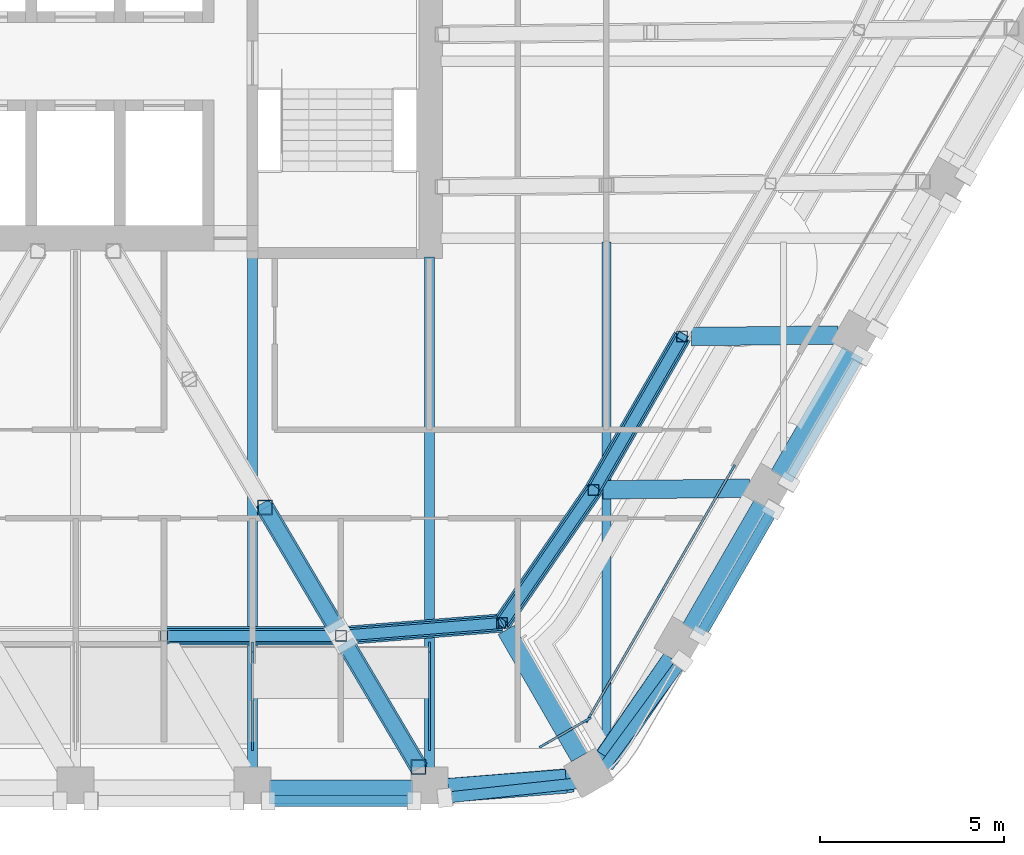
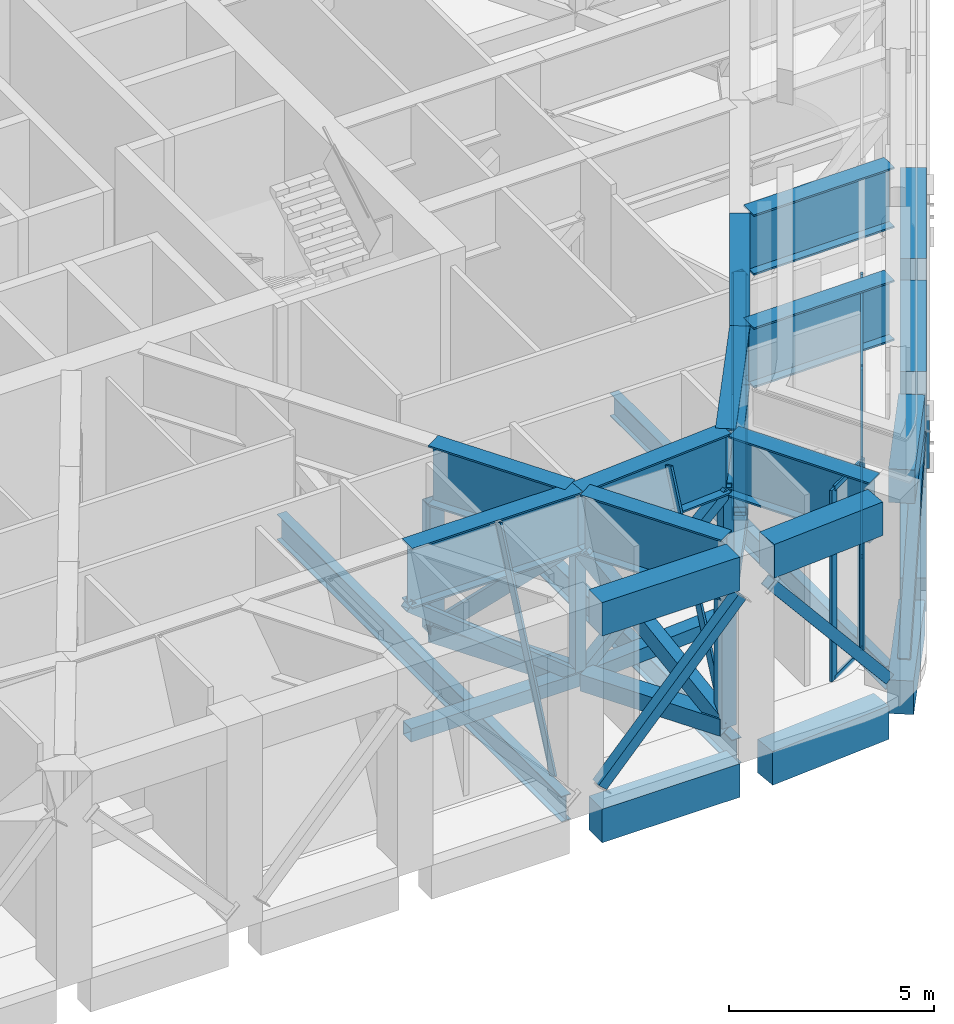
# One storey, part 5 of 24: 35 members, 22 beams, 3 elements without a shape of their own.
"""IFC4 building model written with IfcOpenShell, lengths in metres."""

from ifc_helpers import new_model, si_unit, direction, frame, origin, origin_2d, place, context, subcontext, project, spatial, rectangle, hollow_rectangle, i_section, extrude, material, material_profile, profile_set, type_object, element, aggregate, save


model = new_model("IFC4")

# Units and contexts
model_context = context("Model", 3, precision=1e-05, world=origin(), true_north=direction((0.0, 1.0)))
body_context = subcontext(model_context, "Body", "Model", "MODEL_VIEW")
ifc_project = project(units=[si_unit("LENGTHUNIT", "METRE"), si_unit("AREAUNIT", "SQUARE_METRE"), si_unit("VOLUMEUNIT", "CUBIC_METRE"), si_unit("PLANEANGLEUNIT", "RADIAN"), si_unit("MASSUNIT", "GRAM", prefix="KILO")], contexts=[model_context])

# Site, building, storey
site_placement = place(None, origin())
site = spatial("IfcSite", under=ifc_project, at=site_placement, CompositionType="ELEMENT")
building_placement = place(site_placement, origin())
building = spatial("IfcBuilding", under=site, at=building_placement, Name="Kolab Exchange Tower", CompositionType="ELEMENT")
storey_placement = place(building_placement, frame((0.0, 0.0, 216.800048828125)))
storey = spatial("IfcBuildingStorey", under=building, at=storey_placement, Name="L47", CompositionType="ELEMENT", Elevation=216.800048828125)

# Members
ifc_material_1 = material(Name="Steel S355", Category="steel")
ifc_material_profile_1 = material_profile(ifc_material_1, hollow_rectangle(XDim=0.300048828125, YDim=0.300048828125, WallThickness=0.01611328125, at=origin_2d()), Name="HSS300X300X16")
ifc_profile_set_1 = profile_set([ifc_material_profile_1], Name="Steel S355")
member_type_1 = type_object("IfcMemberType", Name="BELT TRUSS BRACE HSS300X300X16", PredefinedType="BRACE", material=ifc_profile_set_1)
member_1_placement = place(storey_placement, frame((16.45361328125, -12.270751953125, 4.050048828125), z_axis=(-0.392004841722, -0.679009810783, -0.620707564741), x_axis=(0.866037363387, -0.499979284789, 0.0)))
element("IfcMember", 1, at=member_1_placement, inside=storey, type_object=member_type_1, Name="mem/L47/ring/d-F3-04", PredefinedType="BRACE", context=body_context, shape_type="SweptSolid", body=[
    extrude(hollow_rectangle(XDim=0.300048828125, YDim=0.300048828125, WallThickness=0.01611328125, at=origin_2d()), origin(), (0.0, 0.0, 1.0), 6.1220703125),
])
member_2_placement = place(storey_placement, frame((14.0537109375, -16.427734375, 0.25), z_axis=(-0.428579877359, -0.622160593915, 0.655160655185), x_axis=(0.823519747608, -0.56728760369, 0.0)))
element("IfcMember", 2, at=member_2_placement, inside=storey, type_object=member_type_1, Name="mem/L47/ring/d-F3-05", PredefinedType="BRACE", context=body_context, shape_type="SweptSolid", body=[
    extrude(hollow_rectangle(XDim=0.300048828125, YDim=0.300048828125, WallThickness=0.01611328125, at=origin_2d()), origin(), (0.0, 0.0, 1.0), 5.80029296875),
])
member_3_placement = place(storey_placement, frame((11.56787109375, -20.036376953125, 4.050048828125), z_axis=(-0.753086281984, -0.060024651395, -0.655177909512), x_axis=(0.079452902216, -0.996838621006, 0.0)))
element("IfcMember", 3, at=member_3_placement, inside=storey, type_object=member_type_1, Name="mem/L47/ring/d-F4-01", PredefinedType="BRACE", context=body_context, shape_type="SweptSolid", body=[
    extrude(hollow_rectangle(XDim=0.300048828125, YDim=0.300048828125, WallThickness=0.01611328125, at=origin_2d()), origin(), (0.0, 0.0, 1.0), 5.800048828125),
])
member_4_placement = place(storey_placement, frame((7.199951171875, -20.384521484375, 0.25), z_axis=(-0.784045015832, 0.0, 0.620703965791), x_axis=(0.0, -1.0, 0.0)))
element("IfcMember", 4, at=member_4_placement, inside=storey, type_object=member_type_1, Name="mem/L47/ring/d-F4-02", PredefinedType="BRACE", context=body_context, shape_type="SweptSolid", body=[
    extrude(hollow_rectangle(XDim=0.300048828125, YDim=0.300048828125, WallThickness=0.01611328125, at=origin_2d()), origin(), (0.0, 0.0, 1.0), 6.1220703125),
])
member_5_placement = place(storey_placement, frame((18.917236328125, -16.96435546875, 0.39990234375), z_axis=(-0.337507590619, -0.584574708587, 0.737808265306), x_axis=(0.866023334807, -0.500003583557, 0.0)))
element("IfcMember", 5, at=member_5_placement, inside=storey, type_object=member_type_1, Name="mem/L47/fb/F3-05", PredefinedType="BRACE", context=body_context, shape_type="SweptSolid", body=[
    extrude(hollow_rectangle(XDim=0.300048828125, YDim=0.300048828125, WallThickness=0.01611328125, at=origin_2d()), origin(), (0.0, 0.0, 1.0), 5.828125),
])
for number, where, z_axis, x_axis, name in (
    (6, (16.4404296875, -21.07763671875, 4.699951171875), (-0.377585306964, -0.515270277759, -0.769367192453), (0.806613643798, -0.591079038402, 0.0), "mem/L47/fb/F3-06"),
    (7, (13.582763671875, -24.388916015625, 0.39990234375), (-0.635039153675, -0.069365949652, 0.769359238801), (0.108585115076, -0.994087155527, 0.0), "mem/L47/fb/F4-01"),
):
    element("IfcMember", number, at=place(storey_placement, frame(where, z_axis=z_axis, x_axis=x_axis)), inside=storey, type_object=member_type_1, Name=name, PredefinedType="BRACE", context=body_context, shape_type="SweptSolid", body=[
        extrude(hollow_rectangle(XDim=0.300048828125, YDim=0.300048828125, WallThickness=0.01611328125, at=origin_2d()), origin(), (0.0, 0.0, 1.0), 5.589111328125),
    ])
member_6_placement = place(storey_placement, frame((9.1669921875, -24.864990234375, 4.699951171875), z_axis=(-0.6750129769, 0.0, -0.737805855911), x_axis=(0.0, -1.0, 0.0)))
element("IfcMember", 8, at=member_6_placement, inside=storey, type_object=member_type_1, Name="mem/L47/fb/F4-02", PredefinedType="BRACE", context=body_context, shape_type="SweptSolid", body=[
    extrude(hollow_rectangle(XDim=0.300048828125, YDim=0.300048828125, WallThickness=0.01611328125, at=origin_2d()), origin(), (0.0, 0.0, 1.0), 5.828125),
])
ifc_material_profile_2 = material_profile(ifc_material_1, hollow_rectangle(XDim=0.39990234375, YDim=0.39990234375, WallThickness=0.02001953125, at=origin_2d()), Name="HSS400X400X20")
ifc_profile_set_2 = profile_set([ifc_material_profile_2], Name="Steel S355")
member_type_2 = type_object("IfcMemberType", Name="BELT TRUSS CHORD HSS400X400X20", PredefinedType="CHORD", material=ifc_profile_set_2)
member_7_placement = place(storey_placement, frame((16.45361328125, -12.270751953125, 0.25), z_axis=(-0.499979284789, -0.866037363387, 0.0), x_axis=(0.866037363387, -0.499979284789, 0.0)))
element("IfcMember", 9, at=member_7_placement, inside=storey, type_object=member_type_2, Name="mem/L47/ring/c-F3-04", PredefinedType="CHORD", context=body_context, shape_type="SweptSolid", body=[
    extrude(hollow_rectangle(XDim=0.39990234375, YDim=0.39990234375, WallThickness=0.02001953125, at=origin_2d()), origin(), (0.0, 0.0, 1.0), 4.800048828125),
])
member_8_placement = place(storey_placement, frame((14.0537109375, -16.427734375, 0.25), z_axis=(-0.56728760369, -0.823519747608, 0.0), x_axis=(0.823519747608, -0.56728760369, 0.0)))
element("IfcMember", 10, at=member_8_placement, inside=storey, type_object=member_type_2, Name="mem/L47/ring/c-F3-05", PredefinedType="CHORD", context=body_context, shape_type="SweptSolid", body=[
    extrude(hollow_rectangle(XDim=0.39990234375, YDim=0.39990234375, WallThickness=0.02001953125, at=origin_2d()), origin(), (0.0, 0.0, 1.0), 4.382080078125),
])
member_9_placement = place(storey_placement, frame((11.56787109375, -20.036376953125, 0.25), z_axis=(-0.996838621006, -0.079452902216, 0.0), x_axis=(0.079452902216, -0.996838621006, 0.0)))
element("IfcMember", 11, at=member_9_placement, inside=storey, type_object=member_type_2, Name="mem/L47/ring/c-F4-01", PredefinedType="CHORD", context=body_context, shape_type="SweptSolid", body=[
    extrude(hollow_rectangle(XDim=0.39990234375, YDim=0.39990234375, WallThickness=0.02001953125, at=origin_2d()), origin(), (0.0, 0.0, 1.0), 4.3818359375),
])
member_10_placement = place(storey_placement, frame((7.199951171875, -20.384521484375, 0.25), z_axis=(-1.0, 0.0, 0.0), x_axis=(0.0, -1.0, 0.0)))
element("IfcMember", 12, at=member_10_placement, inside=storey, type_object=member_type_2, Name="mem/L47/ring/c-F4-02", PredefinedType="CHORD", context=body_context, shape_type="SweptSolid", body=[
    extrude(hollow_rectangle(XDim=0.39990234375, YDim=0.39990234375, WallThickness=0.02001953125, at=origin_2d()), origin(), (0.0, 0.0, 1.0), 4.800048828125),
])

# Beams
ifc_material_profile_3 = material_profile(ifc_material_1, i_section(OverallWidth=0.5, OverallDepth=1.800048828125, WebThickness=0.031982421875, FlangeThickness=0.050048828125, at=origin_2d()), Name="PG1800X500")
ifc_profile_set_3 = profile_set([ifc_material_profile_3], Name="Steel S355")
beam_type_1 = type_object("IfcBeamType", Name="BELT TRUSS GIRDER PG1800X500", PredefinedType="BEAM", material=ifc_profile_set_3)
beam_1_placement = place(storey_placement, frame((16.45361328125, -12.270751953125, 4.949951171875), z_axis=(-0.499979284789, -0.866037363387, 0.0), x_axis=(0.866037363387, -0.499979284789, 0.0)))
element("IfcBeam", 13, at=beam_1_placement, inside=storey, type_object=beam_type_1, Name="beam/L47/bg/F3-run2", PredefinedType="BEAM", context=body_context, shape_type="SweptSolid", body=[
    extrude(i_section(OverallWidth=0.5, OverallDepth=1.800048828125, WebThickness=0.031982421875, FlangeThickness=0.050048828125, at=origin_2d()), origin(), (0.0, 0.0, 1.0), 4.800048828125),
])
beam_2_placement = place(storey_placement, frame((14.0537109375, -16.427734375, 4.949951171875), z_axis=(-0.56728760369, -0.823519747608, 0.0), x_axis=(0.823519747608, -0.56728760369, 0.0)))
element("IfcBeam", 14, at=beam_2_placement, inside=storey, type_object=beam_type_1, Name="beam/L47/bg/F3-out", PredefinedType="BEAM", context=body_context, shape_type="SweptSolid", body=[
    extrude(i_section(OverallWidth=0.5, OverallDepth=1.800048828125, WebThickness=0.031982421875, FlangeThickness=0.050048828125, at=origin_2d()), origin(), (0.0, 0.0, 1.0), 4.382080078125),
])
beam_3_placement = place(storey_placement, frame((11.56787109375, -20.036376953125, 4.949951171875), z_axis=(-0.996838621006, -0.079452902216, 0.0), x_axis=(0.079452902216, -0.996838621006, 0.0)))
element("IfcBeam", 15, at=beam_3_placement, inside=storey, type_object=beam_type_1, Name="beam/L47/bg/F4-in", PredefinedType="BEAM", context=body_context, shape_type="SweptSolid", body=[
    extrude(i_section(OverallWidth=0.5, OverallDepth=1.800048828125, WebThickness=0.031982421875, FlangeThickness=0.050048828125, at=origin_2d()), origin(), (0.0, 0.0, 1.0), 4.3818359375),
])
beam_4_placement = place(storey_placement, frame((7.199951171875, -20.384521484375, 4.949951171875), z_axis=(-1.0, 0.0, 0.0), x_axis=(0.0, -1.0, 0.0)))
element("IfcBeam", 16, at=beam_4_placement, inside=storey, type_object=beam_type_1, Name="beam/L47/bg/F4-run0", PredefinedType="BEAM", context=body_context, shape_type="SweptSolid", body=[
    extrude(i_section(OverallWidth=0.5, OverallDepth=1.800048828125, WebThickness=0.031982421875, FlangeThickness=0.050048828125, at=origin_2d()), origin(), (0.0, 0.0, 1.0), 4.800048828125),
])

# Members
ifc_material_profile_4 = material_profile(ifc_material_1, hollow_rectangle(XDim=0.300048828125, YDim=0.300048828125, WallThickness=0.01611328125, at=origin_2d()), Name="HSS300X300X16")
ifc_profile_set_4 = profile_set([ifc_material_profile_4], Name="Steel S355")
member_type_3 = type_object("IfcMemberType", Name="BELT TRUSS POST HSS300X300X16", PredefinedType="POST", material=ifc_profile_set_4)
for number, where, z_axis, x_axis, name in (
    (17, (16.45361328125, -12.270751953125, 0.25), (0.0, 0.0, 1.0), (1.0, 0.0, 0.0), "mem/L47/ring/p-F3-04"),
    (18, (14.0537109375, -16.427734375, 0.25), (0.0, 0.0, 1.0), (1.0, 0.0, 0.0), "mem/L47/ring/p-F3-05"),
    (19, (11.56787109375, -20.036376953125, 0.25), (0.0, 0.0, 1.0), (1.0, 0.0, 0.0), "mem/L47/ring/p-F4-01"),
    (20, (7.199951171875, -20.384521484375, 0.25), (0.0, 0.0, 1.0), (1.0, 0.0, 0.0), "mem/L47/ring/p-F4-02"),
):
    element("IfcMember", number, at=place(storey_placement, frame(where, z_axis=z_axis, x_axis=x_axis)), inside=storey, type_object=member_type_3, Name=name, PredefinedType="POST", context=body_context, shape_type="SweptSolid", body=[
        extrude(hollow_rectangle(XDim=0.300048828125, YDim=0.300048828125, WallThickness=0.01611328125, at=origin_2d()), origin(), (0.0, 0.0, 1.0), 3.800048828125),
    ])

# Curtain wall, members
ifc_material_2 = material(Name="Aluminium EN AW-6063 T6", Category="aluminium")
curtain_wall_type_1 = type_object("IfcCurtainWallType", Name="CANTED BAND CURTAIN WALL", PredefinedType="NOTDEFINED", material=ifc_material_2)
curtain_wall_1_placement = place(storey_placement, origin())
curtain_wall_1 = element("IfcCurtainWall", 21, at=curtain_wall_1_placement, inside=storey, type_object=curtain_wall_type_1, Name="band/L47/F4", PredefinedType="NOTDEFINED")
ifc_material_profile_5 = material_profile(ifc_material_2, rectangle(XDim=0.06005859375, YDim=0.300048828125, at=origin_2d()), Name="RECT 60X300")
ifc_profile_set_5 = profile_set([ifc_material_profile_5], Name="Aluminium EN AW-6063 T6")
member_type_4 = type_object("IfcMemberType", Name="CANTED BAND MULLION 60 X 300", PredefinedType="MULLION", material=ifc_profile_set_5)
member_11_placement = place(storey_placement, frame((9.60009765625, -23.361572265625, -0.10009765625), z_axis=(0.0, 0.410878778787, 0.911689985216), x_axis=(-1.0, 0.0, 0.0)))
member_11 = element("IfcMember", 22, at=member_11_placement, type_object=member_type_4, Name="Band mullion", PredefinedType="MULLION", context=body_context, shape_type="SweptSolid", body=[
    extrude(rectangle(XDim=0.06005859375, YDim=0.300048828125, at=origin_2d()), origin(), (0.0, 0.0, 1.0), 6.515380859375),
])
member_12_placement = place(storey_placement, frame((4.800048828125, -23.361572265625, -0.10009765625), z_axis=(0.0, 0.410878778787, 0.911689985216), x_axis=(-1.0, 0.0, 0.0)))
member_12 = element("IfcMember", 23, at=member_12_placement, type_object=member_type_4, Name="Band mullion", PredefinedType="MULLION", context=body_context, shape_type="SweptSolid", body=[
    extrude(rectangle(XDim=0.06005859375, YDim=0.300048828125, at=origin_2d()), origin(), (0.0, 0.0, 1.0), 6.515380859375),
])
aggregate(curtain_wall_1, [member_11, member_12])

# Beams
ifc_material_profile_6 = material_profile(ifc_material_1, i_section(OverallWidth=0.25390625, OverallDepth=0.68408203125, WebThickness=0.012451171875, FlangeThickness=0.018798828125, at=origin_2d()), Name="W690X140")
ifc_profile_set_6 = profile_set([ifc_material_profile_6], Name="Steel S355")
beam_type_2 = type_object("IfcBeamType", Name="FLOOR BEAM W690X140", PredefinedType="BEAM", material=ifc_profile_set_6)
beam_5_placement = place(storey_placement, frame((14.39990234375, -23.15576171875, -0.64208984375), z_axis=(0.0, 1.0, 0.0), x_axis=(-1.0, 0.0, 0.0)))
element("IfcBeam", 24, at=beam_5_placement, inside=storey, type_object=beam_type_2, Name="beam/L47/fr/020", PredefinedType="BEAM", context=body_context, shape_type="SweptSolid", body=[
    extrude(i_section(OverallWidth=0.25390625, OverallDepth=0.68408203125, WebThickness=0.012451171875, FlangeThickness=0.018798828125, at=origin_2d()), origin(), (0.0, 0.0, 1.0), 13.44970703125),
])
ifc_material_profile_7 = material_profile(ifc_material_1, i_section(OverallWidth=0.26708984375, OverallDepth=0.761962890625, WebThickness=0.014404296875, FlangeThickness=0.021484375, at=origin_2d()), Name="W760X173")
ifc_profile_set_7 = profile_set([ifc_material_profile_7], Name="Steel S355")
beam_type_3 = type_object("IfcBeamType", Name="FLOOR BEAM W760X173", PredefinedType="BEAM", material=ifc_profile_set_7)
for number, where, z_axis, x_axis, name in (
    (25, (4.800048828125, -23.9814453125, -0.68115234375), (0.0, 1.0, 0.0), (-1.0, 0.0, 0.0), "beam/L47/fr/013"),
    (26, (9.60009765625, -23.9814453125, -0.68115234375), (0.0, 1.0, 0.0), (-1.0, 0.0, 0.0), "beam/L47/fr/015"),
):
    element("IfcBeam", number, at=place(storey_placement, frame(where, z_axis=z_axis, x_axis=x_axis)), inside=storey, type_object=beam_type_3, Name=name, PredefinedType="BEAM", context=body_context, shape_type="SweptSolid", body=[
        extrude(i_section(OverallWidth=0.26708984375, OverallDepth=0.761962890625, WebThickness=0.014404296875, FlangeThickness=0.021484375, at=origin_2d()), origin(), (0.0, 0.0, 1.0), 13.871337890625),
    ])

# Members
ifc_material_profile_8 = material_profile(ifc_material_1, hollow_rectangle(XDim=0.39990234375, YDim=0.39990234375, WallThickness=0.02001953125, at=origin_2d()), Name="HSS400X400X20")
ifc_profile_set_8 = profile_set([ifc_material_profile_8], Name="Steel S355")
member_type_5 = type_object("IfcMemberType", Name="OUTRIGGER BRACE HSS400X400X20", PredefinedType="BRACE", material=ifc_profile_set_8)
member_13_placement = place(storey_placement, frame((5.142333984375, -16.906494140625, 0.25), z_axis=(0.361497251898, -0.61106156247, 0.704218363679), x_axis=(0.86067015266, 0.509162929051, 0.0)))
element("IfcMember", 27, at=member_13_placement, inside=storey, type_object=member_type_5, Name="mem/L47/out/06/d02", PredefinedType="BRACE", context=body_context, shape_type="SweptSolid", body=[
    extrude(hollow_rectangle(XDim=0.39990234375, YDim=0.39990234375, WallThickness=0.02001953125, at=origin_2d()), origin(), (0.0, 0.0, 1.0), 5.396240234375),
])
member_14_placement = place(storey_placement, frame((7.306884765625, -20.5654296875, 4.050048828125), z_axis=(0.365714956135, -0.618152599125, -0.695801649218), x_axis=(0.860656286669, 0.509186366881, 0.0)))
element("IfcMember", 28, at=member_14_placement, inside=storey, type_object=member_type_5, Name="mem/L47/out/06/d03", PredefinedType="BRACE", context=body_context, shape_type="SweptSolid", body=[
    extrude(hollow_rectangle(XDim=0.39990234375, YDim=0.39990234375, WallThickness=0.02001953125, at=origin_2d()), origin(), (0.0, 0.0, 1.0), 5.46142578125),
])
ifc_material_profile_9 = material_profile(ifc_material_1, hollow_rectangle(XDim=0.5, YDim=0.5, WallThickness=0.02490234375, at=origin_2d()), Name="HSS500X500X25")
ifc_profile_set_9 = profile_set([ifc_material_profile_9], Name="Steel S355")
member_type_6 = type_object("IfcMemberType", Name="OUTRIGGER CHORD HSS500X500X25", PredefinedType="CHORD", material=ifc_profile_set_9)
member_15_placement = place(storey_placement, frame((5.142333984375, -16.906494140625, 0.25), z_axis=(0.509162929051, -0.86067015266, 0.0), x_axis=(0.86067015266, 0.509162929051, 0.0)))
element("IfcMember", 29, at=member_15_placement, inside=storey, type_object=member_type_6, Name="mem/L47/out/06/c02", PredefinedType="CHORD", context=body_context, shape_type="SweptSolid", body=[
    extrude(hollow_rectangle(XDim=0.5, YDim=0.5, WallThickness=0.02490234375, at=origin_2d()), origin(), (0.0, 0.0, 1.0), 3.8310546875),
])
member_16_placement = place(storey_placement, frame((7.306884765625, -20.5654296875, 0.25), z_axis=(0.509186366881, -0.860656286669, 0.0), x_axis=(0.860656286669, 0.509186366881, 0.0)))
element("IfcMember", 30, at=member_16_placement, inside=storey, type_object=member_type_6, Name="mem/L47/out/06/c03", PredefinedType="CHORD", context=body_context, shape_type="SweptSolid", body=[
    extrude(hollow_rectangle(XDim=0.5, YDim=0.5, WallThickness=0.02490234375, at=origin_2d()), origin(), (0.0, 0.0, 1.0), 3.922607421875),
])

# Beams
ifc_material_profile_10 = material_profile(ifc_material_1, i_section(OverallWidth=0.5, OverallDepth=1.800048828125, WebThickness=0.031982421875, FlangeThickness=0.050048828125, at=origin_2d()), Name="PG1800X500")
ifc_profile_set_10 = profile_set([ifc_material_profile_10], Name="Steel S355")
beam_type_4 = type_object("IfcBeamType", Name="OUTRIGGER GIRDER PG1800X500", PredefinedType="BEAM", material=ifc_profile_set_10)
beam_6_placement = place(storey_placement, frame((5.142333984375, -16.906494140625, 4.949951171875), z_axis=(0.509162929051, -0.86067015266, 0.0), x_axis=(0.86067015266, 0.509162929051, 0.0)))
element("IfcBeam", 31, at=beam_6_placement, inside=storey, type_object=beam_type_4, Name="beam/L47/og/06-02", PredefinedType="BEAM", context=body_context, shape_type="SweptSolid", body=[
    extrude(i_section(OverallWidth=0.5, OverallDepth=1.800048828125, WebThickness=0.031982421875, FlangeThickness=0.050048828125, at=origin_2d()), origin(), (0.0, 0.0, 1.0), 3.8310546875),
])
beam_7_placement = place(storey_placement, frame((7.306884765625, -20.5654296875, 4.949951171875), z_axis=(0.509185871859, -0.860656579536, 0.0), x_axis=(0.860656579536, 0.509185871859, 0.0)))
element("IfcBeam", 32, at=beam_7_placement, inside=storey, type_object=beam_type_4, Name="beam/L47/og/06-03", PredefinedType="BEAM", context=body_context, shape_type="SweptSolid", body=[
    extrude(i_section(OverallWidth=0.5, OverallDepth=1.800048828125, WebThickness=0.031982421875, FlangeThickness=0.050048828125, at=origin_2d()), origin(), (0.0, 0.0, 1.0), 3.962890625),
])

# Members
ifc_material_profile_11 = material_profile(ifc_material_1, hollow_rectangle(XDim=0.39990234375, YDim=0.39990234375, WallThickness=0.02001953125, at=origin_2d()), Name="HSS400X400X20")
ifc_profile_set_11 = profile_set([ifc_material_profile_11], Name="Steel S355")
member_type_7 = type_object("IfcMemberType", Name="OUTRIGGER POST HSS400X400X20", PredefinedType="POST", material=ifc_profile_set_11)
for number, where, z_axis, x_axis, name in (
    (33, (5.142333984375, -16.906494140625, 0.25), (0.0, 0.0, 1.0), (1.0, 0.0, 0.0), "mem/L47/out/06/p02"),
    (34, (9.30419921875, -23.94140625, 0.25), (0.0, 0.0, 1.0), (1.0, 0.0, 0.0), "mem/L47/out/06/p04"),
):
    element("IfcMember", number, at=place(storey_placement, frame(where, z_axis=z_axis, x_axis=x_axis)), inside=storey, type_object=member_type_7, Name=name, PredefinedType="POST", context=body_context, shape_type="SweptSolid", body=[
        extrude(hollow_rectangle(XDim=0.39990234375, YDim=0.39990234375, WallThickness=0.02001953125, at=origin_2d()), origin(), (0.0, 0.0, 1.0), 3.800048828125),
    ])

# Beams
ifc_material_3 = material(Name="Concrete C60/75", Category="concrete")
ifc_material_profile_12 = material_profile(ifc_material_3, rectangle(XDim=0.64990234375, YDim=1.0, at=origin_2d()), Name="RC650X1000")
ifc_profile_set_12 = profile_set([ifc_material_profile_12], Name="Concrete C60/75")
beam_type_5 = type_object("IfcBeamType", Name="SPANDREL BEAM 650X1000 C60/75", PredefinedType="BEAM", material=ifc_profile_set_12)
beam_8_placement = place(storey_placement, frame((21.088623046875, -12.70654296875, -0.800048828125), z_axis=(-0.50001655835, -0.866015843605, 0.0), x_axis=(0.866015843605, -0.50001655835, 0.0)))
element("IfcBeam", 35, at=beam_8_placement, inside=storey, type_object=beam_type_5, Name="beam/L47/sp/F3-04", PredefinedType="BEAM", context=body_context, shape_type="SweptSolid", body=[
    extrude(rectangle(XDim=0.64990234375, YDim=1.0, at=origin_2d()), origin(), (0.0, 0.0, 1.0), 3.880126953125),
])
beam_9_placement = place(storey_placement, frame((18.6884765625, -16.863525390625, -0.800048828125), z_axis=(-0.499996613652, -0.866027358884, 0.0), x_axis=(0.866027358884, -0.499996613652, 0.0)))
element("IfcBeam", 36, at=beam_9_placement, inside=storey, type_object=beam_type_5, Name="beam/L47/sp/F3-05", PredefinedType="BEAM", context=body_context, shape_type="SweptSolid", body=[
    extrude(rectangle(XDim=0.64990234375, YDim=1.0, at=origin_2d()), origin(), (0.0, 0.0, 1.0), 3.8798828125),
])
for number, where, z_axis, x_axis, name in (
    (37, (16.256103515625, -21.001953125, -0.800048828125), (-0.568572281073, -0.822633309073, 0.0), (0.822633309073, -0.568572281073, 0.0), "beam/L47/sp/F3-06"),
    (38, (13.493896484375, -24.2998046875, -0.800048828125), (-0.996708497182, -0.081068931445, 0.0), (0.081068931445, -0.996708497182, 0.0), "beam/L47/sp/F4-01"),
):
    element("IfcBeam", number, at=place(storey_placement, frame(where, z_axis=z_axis, x_axis=x_axis)), inside=storey, type_object=beam_type_5, Name=name, PredefinedType="BEAM", context=body_context, shape_type="SweptSolid", body=[
        extrude(rectangle(XDim=0.64990234375, YDim=1.0, at=origin_2d()), origin(), (0.0, 0.0, 1.0), 3.445068359375),
    ])
beam_10_placement = place(storey_placement, frame((9.139892578125, -24.616455078125, -0.800048828125), z_axis=(-1.0, 0.0, 0.0), x_axis=(0.0, -1.0, 0.0)))
element("IfcBeam", 39, at=beam_10_placement, inside=storey, type_object=beam_type_5, Name="beam/L47/sp/F4-02", PredefinedType="BEAM", context=body_context, shape_type="SweptSolid", body=[
    extrude(rectangle(XDim=0.64990234375, YDim=1.0, at=origin_2d()), origin(), (0.0, 0.0, 1.0), 3.8798828125),
])
beam_11_placement = place(storey_placement, frame((21.08837890625, -12.70654296875, 5.349853515625), z_axis=(-0.499969367985, -0.866043088465, 0.0), x_axis=(0.866043088465, -0.499969367985, 0.0)))
element("IfcBeam", 40, at=beam_11_placement, inside=storey, type_object=beam_type_5, Name="beam/L47/cp/F3-04", PredefinedType="BEAM", context=body_context, shape_type="SweptSolid", body=[
    extrude(rectangle(XDim=0.64990234375, YDim=1.0, at=origin_2d()), origin(), (0.0, 0.0, 1.0), 3.880126953125),
])
beam_12_placement = place(storey_placement, frame((18.6884765625, -16.863525390625, 5.349853515625), z_axis=(-0.499996613652, -0.866027358884, 0.0), x_axis=(0.866027358884, -0.499996613652, 0.0)))
element("IfcBeam", 41, at=beam_12_placement, inside=storey, type_object=beam_type_5, Name="beam/L47/cp/F3-05", PredefinedType="BEAM", context=body_context, shape_type="SweptSolid", body=[
    extrude(rectangle(XDim=0.64990234375, YDim=1.0, at=origin_2d()), origin(), (0.0, 0.0, 1.0), 3.8798828125),
])
beam_13_placement = place(storey_placement, frame((16.230224609375, -21.043701171875, 5.349853515625), z_axis=(-0.565475094709, -0.824765371038, 0.0), x_axis=(0.824765371038, -0.565475094709, 0.0)))
element("IfcBeam", 42, at=beam_13_placement, inside=storey, type_object=beam_type_5, Name="beam/L47/cp/F3-06", PredefinedType="BEAM", context=body_context, shape_type="SweptSolid", body=[
    extrude(rectangle(XDim=0.64990234375, YDim=1.0, at=origin_2d()), origin(), (0.0, 0.0, 1.0), 3.20703125),
])
beam_14_placement = place(storey_placement, frame((13.306396484375, -24.32958984375, 5.349853515625), z_axis=(-0.99700411578, -0.077348517229, 0.0), x_axis=(0.077348517229, -0.99700411578, 0.0)))
element("IfcBeam", 43, at=beam_14_placement, inside=storey, type_object=beam_type_5, Name="beam/L47/cp/F4-01", PredefinedType="BEAM", context=body_context, shape_type="SweptSolid", body=[
    extrude(rectangle(XDim=0.64990234375, YDim=1.0, at=origin_2d()), origin(), (0.0, 0.0, 1.0), 3.206787109375),
])
beam_15_placement = place(storey_placement, frame((9.139892578125, -24.616455078125, 5.349853515625), z_axis=(-1.0, 0.0, 0.0), x_axis=(0.0, -1.0, 0.0)))
element("IfcBeam", 44, at=beam_15_placement, inside=storey, type_object=beam_type_5, Name="beam/L47/cp/F4-02", PredefinedType="BEAM", context=body_context, shape_type="SweptSolid", body=[
    extrude(rectangle(XDim=0.64990234375, YDim=1.0, at=origin_2d()), origin(), (0.0, 0.0, 1.0), 3.8798828125),
])
ifc_material_profile_13 = material_profile(ifc_material_1, i_section(OverallWidth=0.5, OverallDepth=1.800048828125, WebThickness=0.031982421875, FlangeThickness=0.050048828125, at=origin_2d()), Name="PG1800X500")
ifc_profile_set_13 = profile_set([ifc_material_profile_13], Name="Steel S355")
beam_type_6 = type_object("IfcBeamType", Name="TRANSFER GIRDER PG1800X500", PredefinedType="BEAM", material=ifc_profile_set_13)
for number, where, z_axis, x_axis, name in (
    (45, (16.70361328125, -12.26806640625, 4.949951171875), (0.999943791991, 0.010602493014, 0.0), (-0.010602493014, 0.999943791991, 0.0), "beam/L47/tg/F3-04"),
    (46, (14.3037109375, -16.425048828125, 4.949951171875), (0.999943791991, 0.010602493014, 0.0), (-0.010602493014, 0.999943791991, 0.0), "beam/L47/tg/F3-05"),
):
    element("IfcBeam", number, at=place(storey_placement, frame(where, z_axis=z_axis, x_axis=x_axis)), inside=storey, type_object=beam_type_6, Name=name, PredefinedType="BEAM", context=body_context, shape_type="SweptSolid", body=[
        extrude(i_section(OverallWidth=0.5, OverallDepth=1.800048828125, WebThickness=0.031982421875, FlangeThickness=0.050048828125, at=origin_2d()), origin(), (0.0, 0.0, 1.0), 3.983642578125),
    ])
beam_16_placement = place(storey_placement, frame((11.677978515625, -20.226806640625, 4.949951171875), z_axis=(0.499998569178, -0.866026229868, 0.0), x_axis=(0.866026229868, 0.499998569178, 0.0)))
element("IfcBeam", 47, at=beam_16_placement, inside=storey, type_object=beam_type_6, Name="beam/L47/tg/F4-01", PredefinedType="BEAM", context=body_context, shape_type="SweptSolid", body=[
    extrude(i_section(OverallWidth=0.5, OverallDepth=1.800048828125, WebThickness=0.031982421875, FlangeThickness=0.050048828125, at=origin_2d()), origin(), (0.0, 0.0, 1.0), 3.97998046875),
])

# Curtain wall, members
curtain_wall_type_2 = type_object("IfcCurtainWallType", Name="UNITISED UPPER MID ZONE DOUBLE HEIGHT BELT CURTAIN WALL", PredefinedType="NOTDEFINED", material=ifc_material_2)
curtain_wall_2_placement = place(storey_placement, origin())
curtain_wall_2 = element("IfcCurtainWall", 48, at=curtain_wall_2_placement, inside=storey, type_object=curtain_wall_type_2, Name="cw/L47/F3-2", PredefinedType="NOTDEFINED")
ifc_material_profile_14 = material_profile(ifc_material_2, rectangle(XDim=0.06005859375, YDim=0.260009765625, at=origin_2d()), Name="RECT 60X260")
ifc_profile_set_14 = profile_set([ifc_material_profile_14], Name="Aluminium EN AW-6063 T6")
member_type_8 = type_object("IfcMemberType", Name="UNITISED UPPER MID ZONE DOUBLE HEIGHT BELT MULLION 60 X 260", PredefinedType="MULLION", material=ifc_profile_set_14)
member_17_placement = place(storey_placement, frame((17.816650390625, -15.86376953125, 0.0), z_axis=(0.0, 0.0, 1.0), x_axis=(0.866025385493, -0.500000031681, 0.0)))
member_17 = element("IfcMember", 49, at=member_17_placement, type_object=member_type_8, Name="CW11 mullion 1", PredefinedType="MULLION", context=body_context, shape_type="SweptSolid", body=[
    extrude(rectangle(XDim=0.06005859375, YDim=0.260009765625, at=origin_2d()), origin(), (0.0, 0.0, 1.0), 5.699951171875),
])
member_18_placement = place(storey_placement, frame((15.86474609375, -19.24462890625, 0.0), z_axis=(0.0, 0.0, 1.0), x_axis=(0.866025385493, -0.500000031681, 0.0)))
member_18 = element("IfcMember", 50, at=member_18_placement, type_object=member_type_8, Name="CW11 mullion 2", PredefinedType="MULLION", context=body_context, shape_type="SweptSolid", body=[
    extrude(rectangle(XDim=0.06005859375, YDim=0.260009765625, at=origin_2d()), origin(), (0.0, 0.0, 1.0), 5.699951171875),
])
member_19_placement = place(storey_placement, frame((13.91259765625, -22.62548828125, 0.0), z_axis=(0.0, 0.0, 1.0), x_axis=(0.866025385493, -0.500000031681, 0.0)))
member_19 = element("IfcMember", 51, at=member_19_placement, type_object=member_type_8, Name="CW11 mullion 3", PredefinedType="MULLION", context=body_context, shape_type="SweptSolid", body=[
    extrude(rectangle(XDim=0.06005859375, YDim=0.260009765625, at=origin_2d()), origin(), (0.0, 0.0, 1.0), 5.699951171875),
])

curtain_wall_3_placement = place(storey_placement, origin())
curtain_wall_3 = element("IfcCurtainWall", 52, at=curtain_wall_3_placement, inside=storey, type_object=curtain_wall_type_2, Name="cw/L47/F3F4-corner", PredefinedType="NOTDEFINED")
member_20_placement = place(storey_placement, frame((13.871826171875, -22.66650390625, 0.0), z_axis=(0.0, 0.0, 1.0), x_axis=(0.50000002237, -0.866025390869, 0.0)))
member_20 = element("IfcMember", 53, at=member_20_placement, type_object=member_type_8, Name="CW11 mullion 1", PredefinedType="MULLION", context=body_context, shape_type="SweptSolid", body=[
    extrude(rectangle(XDim=0.06005859375, YDim=0.260009765625, at=origin_2d()), origin(), (0.0, 0.0, 1.0), 5.699951171875),
])
member_21_placement = place(storey_placement, frame((12.69384765625, -23.346435546875, 0.0), z_axis=(0.0, 0.0, 1.0), x_axis=(0.50000002237, -0.866025390869, 0.0)))
member_21 = element("IfcMember", 54, at=member_21_placement, type_object=member_type_8, Name="CW11 mullion 2", PredefinedType="MULLION", context=body_context, shape_type="SweptSolid", body=[
    extrude(rectangle(XDim=0.06005859375, YDim=0.260009765625, at=origin_2d()), origin(), (0.0, 0.0, 1.0), 5.699951171875),
])

# Member
ifc_material_profile_15 = material_profile(ifc_material_2, rectangle(XDim=0.06005859375, YDim=0.139892578125, at=origin_2d()), Name="RECT 60X140")
ifc_profile_set_15 = profile_set([ifc_material_profile_15], Name="Aluminium EN AW-6063 T6")
member_type_9 = type_object("IfcMemberType", Name="UNITISED UPPER MID ZONE DOUBLE HEIGHT BELT TRANSOM 60 X 140", PredefinedType="USERDEFINED", material=ifc_profile_set_15)
member_22_placement = place(storey_placement, frame((17.8017578125, -15.8896484375, 0.030029296875), z_axis=(-0.500011990396, -0.866018481016, 0.0), x_axis=(0.866018481016, -0.500011990396, 0.0)))
member_22 = element("IfcMember", 55, at=member_22_placement, type_object=member_type_9, Name="CW11 transom 1.1", ObjectType="TRANSOM", PredefinedType="USERDEFINED", context=body_context, shape_type="SweptSolid", body=[
    extrude(rectangle(XDim=0.06005859375, YDim=0.139892578125, at=origin_2d()), origin(), (0.0, 0.0, 1.0), 3.84423828125),
])

member_23_placement = place(storey_placement, frame((17.8017578125, -15.8896484375, 5.669921875), z_axis=(-0.500011990396, -0.866018481016, 0.0), x_axis=(0.866018481016, -0.500011990396, 0.0)))
member_23 = element("IfcMember", 56, at=member_23_placement, type_object=member_type_9, Name="CW11 transom 1.2", ObjectType="TRANSOM", PredefinedType="USERDEFINED", context=body_context, shape_type="SweptSolid", body=[
    extrude(rectangle(XDim=0.06005859375, YDim=0.139892578125, at=origin_2d()), origin(), (0.0, 0.0, 1.0), 3.84423828125),
])

member_24_placement = place(storey_placement, frame((15.849609375, -19.2705078125, 0.030029296875), z_axis=(-0.499964356602, -0.866045981532, 0.0), x_axis=(0.866045981532, -0.499964356602, 0.0)))
member_24 = element("IfcMember", 57, at=member_24_placement, type_object=member_type_9, Name="CW11 transom 2.1", ObjectType="TRANSOM", PredefinedType="USERDEFINED", context=body_context, shape_type="SweptSolid", body=[
    extrude(rectangle(XDim=0.06005859375, YDim=0.139892578125, at=origin_2d()), origin(), (0.0, 0.0, 1.0), 3.843994140625),
])

member_25_placement = place(storey_placement, frame((15.849609375, -19.2705078125, 5.669921875), z_axis=(-0.499964356602, -0.866045981532, 0.0), x_axis=(0.866045981532, -0.499964356602, 0.0)))
member_25 = element("IfcMember", 58, at=member_25_placement, type_object=member_type_9, Name="CW11 transom 2.2", ObjectType="TRANSOM", PredefinedType="USERDEFINED", context=body_context, shape_type="SweptSolid", body=[
    extrude(rectangle(XDim=0.06005859375, YDim=0.139892578125, at=origin_2d()), origin(), (0.0, 0.0, 1.0), 3.843994140625),
])

aggregate(curtain_wall_2, [member_17, member_18, member_19, member_22, member_23, member_24, member_25])

member_26_placement = place(storey_placement, frame((13.845703125, -22.681640625, 0.030029296875), z_axis=(-0.86603858612, -0.49997716683, 0.0), x_axis=(0.49997716683, -0.86603858612, 0.0)))
member_26 = element("IfcMember", 59, at=member_26_placement, type_object=member_type_9, Name="CW11 transom 1.1", ObjectType="TRANSOM", PredefinedType="USERDEFINED", context=body_context, shape_type="SweptSolid", body=[
    extrude(rectangle(XDim=0.06005859375, YDim=0.139892578125, at=origin_2d()), origin(), (0.0, 0.0, 1.0), 1.2998046875),
])

member_27_placement = place(storey_placement, frame((13.845703125, -22.681640625, 5.669921875), z_axis=(-0.86603858612, -0.49997716683, 0.0), x_axis=(0.49997716683, -0.86603858612, 0.0)))
member_27 = element("IfcMember", 60, at=member_27_placement, type_object=member_type_9, Name="CW11 transom 1.2", ObjectType="TRANSOM", PredefinedType="USERDEFINED", context=body_context, shape_type="SweptSolid", body=[
    extrude(rectangle(XDim=0.06005859375, YDim=0.139892578125, at=origin_2d()), origin(), (0.0, 0.0, 1.0), 1.2998046875),
])

aggregate(curtain_wall_3, [member_20, member_21, member_26, member_27])

save(model, "model.ifc")
